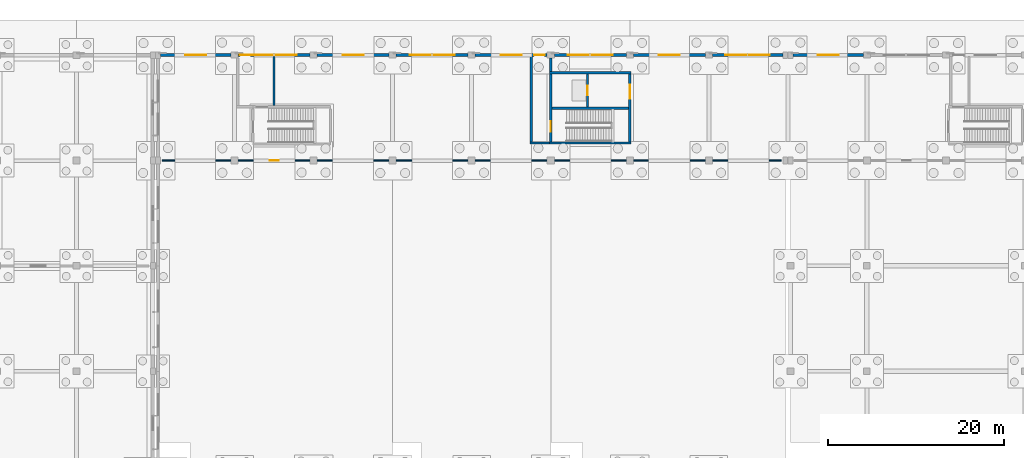
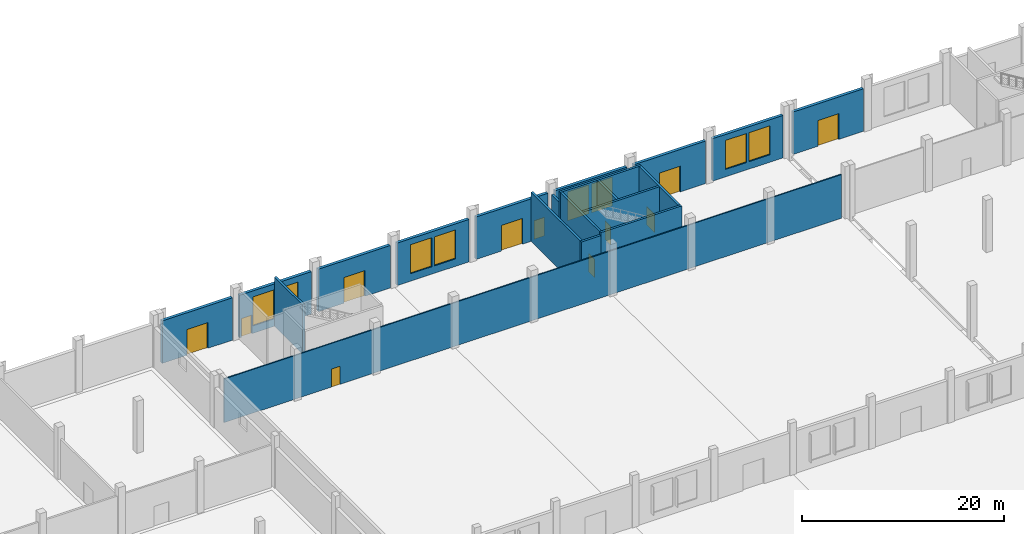
# One storey, part 73 of 99: 20 walls, 11 doors, 8 windows, 19 openings.
"""IFC4 building model written with IfcOpenShell, lengths in metres."""

from ifc_helpers import new_model, si_unit, direction, frame, frame_2d, origin, place, context, subcontext, project, spatial, rectangle, extrude, material, layer, layer_set, type_object, element, fill, save


model = new_model("IFC4")

# Units and contexts
model_context = context("Model", 3, precision=1e-05, world=origin(), true_north=direction((0.0, 1.0)))
body_context = subcontext(model_context, "Body", "Model", "MODEL_VIEW")
ifc_project = project(units=[si_unit("LENGTHUNIT", "METRE"), si_unit("AREAUNIT", "SQUARE_METRE"), si_unit("VOLUMEUNIT", "CUBIC_METRE"), si_unit("PLANEANGLEUNIT", "RADIAN"), si_unit("MASSUNIT", "GRAM", prefix="KILO")], contexts=[model_context])

# Site, building, storey
site_placement = place(None, origin())
site = spatial("IfcSite", under=ifc_project, at=site_placement, CompositionType="ELEMENT")
building_placement = place(site_placement, origin())
building = spatial("IfcBuilding", under=site, at=building_placement, Name="Zacnel Wholesale Market", CompositionType="ELEMENT")
storey_placement = place(building_placement, origin())
storey = spatial("IfcBuildingStorey", under=building, at=storey_placement, Name="L01", CompositionType="ELEMENT", Elevation=0.0)

# Walls
ifc_material_1 = material(Name="Concrete C40/50", Category="concrete")
ifc_layer_1 = layer(ifc_material_1, 0.2548828125)
ifc_layer_set_1 = layer_set([ifc_layer_1], Name="Concrete C40/50")
wall_type_1 = type_object("IfcWallType", Name="WL-COMP-FW250", PredefinedType="STANDARD", material=ifc_layer_set_1)
wall_1_placement = place(storey_placement, frame((85.49755859375, 138.25, 0.0), z_axis=(0.0, 0.0, 1.0), x_axis=(0.0, 1.0, 0.0)))
element("IfcWall", 1, at=wall_1_placement, inside=storey, type_object=wall_type_1, Name="Exit passage ST-20 fire barrier wall 2", PredefinedType="STANDARD", context=body_context, shape_type="SweptSolid", body=[
    extrude(rectangle(XDim=5.580078125, YDim=0.2548828125, at=frame_2d((2.7900390625, 0.0))), origin(), (0.0, 0.0, 1.0), 5.949951171875),
])
wall_2_placement = place(storey_placement, frame((114.7724609375, 134.125, 0.0), z_axis=(0.0, 0.0, 1.0), x_axis=(0.0, 1.0, 0.0)))
element("IfcWall", 2, at=wall_2_placement, inside=storey, type_object=wall_type_1, Name="Exit passage C6 fire barrier wall 1", PredefinedType="STANDARD", context=body_context, shape_type="SweptSolid", body=[
    extrude(rectangle(XDim=9.705078125, YDim=0.2548828125, at=frame_2d((4.8525390625, 0.0))), origin(), (0.0, 0.0, 1.0), 5.949951171875),
])
wall_3_placement = place(storey_placement, frame((117.00244140625, 142.125, 0.0), z_axis=(0.0, 0.0, 1.0), x_axis=(0.0, 1.0, 0.0)))
element("IfcWall", 3, at=wall_3_placement, inside=storey, type_object=wall_type_1, Name="Exit passage C6 fire barrier wall 2", PredefinedType="STANDARD", context=body_context, shape_type="SweptSolid", body=[
    extrude(rectangle(XDim=1.52490234375, YDim=0.2548828125, at=frame_2d((0.762451171875, 0.0))), origin(), (0.0, 0.0, 1.0), 4.969970703125),
])
wall_4_placement = place(storey_placement, frame((114.64501953125, 133.99755859375, 0.0), z_axis=(0.0, 0.0, 1.0), x_axis=(1.0, 0.0, 0.0)))
element("IfcWall", 4, at=wall_4_placement, inside=storey, type_object=wall_type_1, Name="Exit passage C6 fire barrier wall 3", PredefinedType="STANDARD", context=body_context, shape_type="SweptSolid", body=[
    extrude(rectangle(XDim=2.22998046875, YDim=0.2548828125, at=frame_2d((1.114990234375, 0.0))), origin(), (0.0, 0.0, 1.0), 5.949951171875),
])
ifc_material_2 = material(Name="Concrete C40/50", Category="concrete")
ifc_layer_2 = layer(ifc_material_2, 0.25)
ifc_layer_set_2 = layer_set([ifc_layer_2], Name="Concrete C40/50")
wall_type_2 = type_object("IfcWallType", Name="WL-CORE-SW250", PredefinedType="SOLIDWALL", material=ifc_layer_set_2)
for number, where, z_axis, x_axis, name in (
    (5, (116.875, 134.0, -0.5), (0.0, 0.0, 1.0), (1.0, 0.0, 0.0), "Core C6 south shear wall L01"),
    (6, (116.875, 142.0, -0.5), (0.0, 0.0, 1.0), (1.0, 0.0, 0.0), "Core C6 north shear wall L01"),
):
    element("IfcWall", number, at=place(storey_placement, frame(where, z_axis=z_axis, x_axis=x_axis)), inside=storey, type_object=wall_type_2, Name=name, PredefinedType="SOLIDWALL", context=body_context, shape_type="SweptSolid", body=[
        extrude(rectangle(XDim=9.25, YDim=0.25, at=frame_2d((4.625, 0.0))), origin(), (0.0, 0.0, 1.0), 6.800048828125),
    ])

# Wall, opening, door
wall_5_placement = place(storey_placement, frame((117.0, 134.125, -0.5), z_axis=(0.0, 0.0, 1.0), x_axis=(0.0, 1.0, 0.0)))
wall_5 = element("IfcWall", 7, at=wall_5_placement, inside=storey, type_object=wall_type_2, Name="Core C6 west shear wall L01", PredefinedType="SOLIDWALL", context=body_context, shape_type="SweptSolid", body=[
    extrude(rectangle(XDim=7.75, YDim=0.25, at=frame_2d((3.875, 0.0))), origin(), (0.0, 0.0, 1.0), 6.800048828125),
])
opening_1_placement = place(wall_5_placement, frame((1.14990234375, 0.0, 0.5)))
opening_1 = element("IfcOpeningElement", 8, at=opening_1_placement, cuts=wall_5, Name="Opening FD-01", PredefinedType="OPENING", context=body_context, shape_type="SweptSolid", body=[
    extrude(rectangle(XDim=1.199951171875, YDim=2.199951171875, at=frame_2d((0.60009765625, 1.10009765625))), frame((0.0, 0.135009765625, 0.0), z_axis=(0.0, -1.0, 0.0), x_axis=(1.0, 0.0, 0.0)), (0.0, 0.0, 1.0), 0.27001953125),
])
ifc_material_3 = material(Name="Galvanized steel", Category="steel")
door_type_1 = type_object("IfcDoorType", Name="DR-FIRE-STAIR-1200", OperationType="NOTDEFINED", PredefinedType="DOOR", material=ifc_material_3)
door_1_placement = place(opening_1_placement, origin())
door_1 = element("IfcDoor", 9, at=door_1_placement, inside=storey, type_object=door_type_1, Name="Protected stair fire door C6 L01", OperationType="SINGLE_SWING_LEFT", OverallHeight=2.199951171875, OverallWidth=1.199951171875, PredefinedType="DOOR", context=body_context, shape_type="SweptSolid", body=[
    extrude(rectangle(XDim=1.199951171875, YDim=2.199951171875, at=frame_2d((0.60009765625, 1.10009765625))), frame((0.0, 0.02490234375, 0.0), z_axis=(0.0, -1.0, 0.0), x_axis=(1.0, 0.0, 0.0)), (0.0, 0.0, 1.0), 0.050048828125),
])
fill(opening_1, door_1)

wall_6_placement = place(storey_placement, frame((126.0, 134.125, -0.5), z_axis=(0.0, 0.0, 1.0), x_axis=(0.0, 1.0, 0.0)))
wall_6 = element("IfcWall", 10, at=wall_6_placement, inside=storey, type_object=wall_type_2, Name="Core C6 east shear wall L01", PredefinedType="SOLIDWALL", context=body_context, shape_type="SweptSolid", body=[
    extrude(rectangle(XDim=7.75, YDim=0.25, at=frame_2d((3.875, 0.0))), origin(), (0.0, 0.0, 1.0), 6.800048828125),
])
opening_2_placement = place(wall_6_placement, frame((4.89990234375, 0.0, 0.5)))
opening_2 = element("IfcOpeningElement", 11, at=opening_2_placement, cuts=wall_6, Name="Opening FD-02", PredefinedType="OPENING", context=body_context, shape_type="SweptSolid", body=[
    extrude(rectangle(XDim=1.60009765625, YDim=2.199951171875, at=frame_2d((0.800048828125, 1.10009765625))), frame((0.0, 0.135009765625, 0.0), z_axis=(0.0, -1.0, 0.0), x_axis=(1.0, 0.0, 0.0)), (0.0, 0.0, 1.0), 0.27001953125),
])
ifc_material_4 = material(Name="Galvanized steel", Category="steel")
door_type_2 = type_object("IfcDoorType", Name="DR-FIRE-LOBBY-1600", OperationType="NOTDEFINED", PredefinedType="DOOR", material=ifc_material_4)
door_2_placement = place(opening_2_placement, origin())
door_2 = element("IfcDoor", 12, at=door_2_placement, inside=storey, type_object=door_type_2, Name="Core lift lobby fire door C6 L01", OperationType="SINGLE_SWING_RIGHT", OverallHeight=2.199951171875, OverallWidth=1.60009765625, PredefinedType="DOOR", context=body_context, shape_type="SweptSolid", body=[
    extrude(rectangle(XDim=1.60009765625, YDim=2.199951171875, at=frame_2d((0.800048828125, 1.10009765625))), frame((0.0, 0.02490234375, 0.0), z_axis=(0.0, -1.0, 0.0), x_axis=(1.0, 0.0, 0.0)), (0.0, 0.0, 1.0), 0.050048828125),
])
fill(opening_2, door_2)

# Wall
wall_7_placement = place(storey_placement, frame((117.125, 137.949951171875, -0.5), z_axis=(0.0, 0.0, 1.0), x_axis=(1.0, 0.0, 0.0)))
element("IfcWall", 13, at=wall_7_placement, inside=storey, type_object=wall_type_2, Name="Core C6 stair-shaft shear wall L01", PredefinedType="SOLIDWALL", context=body_context, shape_type="SweptSolid", body=[
    extrude(rectangle(XDim=8.75, YDim=0.25, at=frame_2d((4.375, 0.0))), origin(), (0.0, 0.0, 1.0), 6.800048828125),
])

# Wall, opening, door
wall_8_placement = place(storey_placement, frame((121.199951171875, 138.074951171875, -0.5), z_axis=(0.0, 0.0, 1.0), x_axis=(0.0, 1.0, 0.0)))
wall_8 = element("IfcWall", 14, at=wall_8_placement, inside=storey, type_object=wall_type_2, Name="Core C6 lift shaft front wall L01", PredefinedType="SOLIDWALL", context=body_context, shape_type="SweptSolid", body=[
    extrude(rectangle(XDim=3.800048828125, YDim=0.25, at=frame_2d((1.89990234375, 0.0))), origin(), (0.0, 0.0, 1.0), 6.800048828125),
])
opening_3_placement = place(wall_8_placement, frame((1.35009765625, 0.0, 0.5)))
opening_3 = element("IfcOpeningElement", 15, at=opening_3_placement, cuts=wall_8, Name="Opening LD-01", PredefinedType="OPENING", context=body_context, shape_type="SweptSolid", body=[
    extrude(rectangle(XDim=1.10009765625, YDim=2.199951171875, at=frame_2d((0.550048828125, 1.10009765625))), frame((0.0, 0.135009765625, 0.0), z_axis=(0.0, -1.0, 0.0), x_axis=(1.0, 0.0, 0.0)), (0.0, 0.0, 1.0), 0.27001953125),
])
ifc_material_5 = material(Name="Galvanized steel", Category="steel")
door_type_3 = type_object("IfcDoorType", Name="DR-LIFT-PASS-1100", OperationType="NOTDEFINED", PredefinedType="DOOR", material=ifc_material_5)
door_3_placement = place(opening_3_placement, origin())
door_3 = element("IfcDoor", 16, at=door_3_placement, inside=storey, type_object=door_type_3, Name="Lift landing door LP-03 L01", OperationType="SLIDING_TO_LEFT", OverallHeight=2.199951171875, OverallWidth=1.10009765625, PredefinedType="DOOR", context=body_context, shape_type="SweptSolid", body=[
    extrude(rectangle(XDim=1.10009765625, YDim=2.199951171875, at=frame_2d((0.550048828125, 1.10009765625))), frame((0.0, 0.02490234375, 0.0), z_axis=(0.0, -1.0, 0.0), x_axis=(1.0, 0.0, 0.0)), (0.0, 0.0, 1.0), 0.050048828125),
])
fill(opening_3, door_3)

ifc_material_6 = material(Name="Precast concrete C40/50 (Cancun limestone aggregate)", Category="masonry")
ifc_layer_3 = layer(ifc_material_6, 0.340087890625)
ifc_layer_set_3 = layer_set([ifc_layer_3], Name="Precast concrete C40/50 (Cancun limestone aggregate)")
wall_type_3 = type_object("IfcWallType", Name="WL-EXT-LIME-340", PredefinedType="SOLIDWALL", material=ifc_layer_set_3)
wall_9_placement = place(storey_placement, frame((72.574951171875, 144.0, 0.0), z_axis=(0.0, 0.0, 1.0), x_axis=(1.0, 0.0, 0.0)))
wall_9 = element("IfcWall", 17, at=wall_9_placement, inside=storey, type_object=wall_type_3, Name="Exterior wall L01-0133", PredefinedType="SOLIDWALL", context=body_context, shape_type="SweptSolid", body=[
    extrude(rectangle(XDim=8.025146484375, YDim=0.340087890625, at=frame_2d((4.0126953125, 0.0))), origin(), (0.0, 0.0, 1.0), 5.1201171875),
])
opening_4_placement = place(wall_9_placement, frame((2.81201171875, 0.0, 0.0)))
opening_4 = element("IfcOpeningElement", 18, at=opening_4_placement, cuts=wall_9, Name="Opening ED-01", PredefinedType="OPENING", context=body_context, shape_type="SweptSolid", body=[
    extrude(rectangle(XDim=2.39990234375, YDim=3.10009765625, at=frame_2d((1.199951171875, 1.550048828125))), frame((0.0, 0.179931640625, 0.0), z_axis=(0.0, -1.0, 0.0), x_axis=(1.0, 0.0, 0.0)), (0.0, 0.0, 1.0), 0.360107421875),
])
ifc_material_7 = material(Name="Anodised aluminium", Category="aluminium")
door_type_4 = type_object("IfcDoorType", Name="DR-EXT-PORTAL-2400", OperationType="NOTDEFINED", PredefinedType="DOOR", material=ifc_material_7)
door_4_placement = place(opening_4_placement, origin())
door_4 = element("IfcDoor", 19, at=door_4_placement, inside=storey, type_object=door_type_4, Name="Market hall civic portal 038", OperationType="DOUBLE_DOOR_SINGLE_SWING", OverallHeight=3.10009765625, OverallWidth=2.39990234375, PredefinedType="DOOR", context=body_context, shape_type="SweptSolid", body=[
    extrude(rectangle(XDim=2.39990234375, YDim=3.10009765625, at=frame_2d((1.199951171875, 1.550048828125))), frame((0.0, 0.02490234375, 0.0), z_axis=(0.0, -1.0, 0.0), x_axis=(1.0, 0.0, 0.0)), (0.0, 0.0, 1.0), 0.050048828125),
])
fill(opening_4, door_4)

# Wall, openings, door, windows
wall_10_placement = place(storey_placement, frame((81.39990234375, 144.0, 0.0), z_axis=(0.0, 0.0, 1.0), x_axis=(1.0, 0.0, 0.0)))
wall_10 = element("IfcWall", 20, at=wall_10_placement, inside=storey, type_object=wall_type_3, Name="Exterior wall L01-0134", PredefinedType="SOLIDWALL", context=body_context, shape_type="SweptSolid", body=[
    extrude(rectangle(XDim=8.2001953125, YDim=0.340087890625, at=frame_2d((4.10009765625, 0.0))), origin(), (0.0, 0.0, 1.0), 5.1201171875),
])
opening_5_placement = place(wall_10_placement, frame((1.532958984375, 0.0, 0.89990234375)))
opening_5 = element("IfcOpeningElement", 21, at=opening_5_placement, cuts=wall_10, Name="Opening W-01", PredefinedType="OPENING", context=body_context, shape_type="SweptSolid", body=[
    extrude(rectangle(XDim=2.39990234375, YDim=3.5, at=frame_2d((1.199951171875, 1.75))), frame((0.0, 0.179931640625, 0.0), z_axis=(0.0, -1.0, 0.0), x_axis=(1.0, 0.0, 0.0)), (0.0, 0.0, 1.0), 0.360107421875),
])
opening_6_placement = place(wall_10_placement, frame((4.26708984375, 0.0, 0.89990234375)))
opening_6 = element("IfcOpeningElement", 22, at=opening_6_placement, cuts=wall_10, Name="Opening W-01", PredefinedType="OPENING", context=body_context, shape_type="SweptSolid", body=[
    extrude(rectangle(XDim=2.39990234375, YDim=3.5, at=frame_2d((1.199951171875, 1.75))), frame((0.0, 0.179931640625, 0.0), z_axis=(0.0, -1.0, 0.0), x_axis=(1.0, 0.0, 0.0)), (0.0, 0.0, 1.0), 0.360107421875),
])
opening_7_placement = place(wall_10_placement, frame((0.199951171875, 0.0, 0.0)))
opening_7 = element("IfcOpeningElement", 23, at=opening_7_placement, cuts=wall_10, Name="Opening ED-04", PredefinedType="OPENING", context=body_context, shape_type="SweptSolid", body=[
    extrude(rectangle(XDim=1.199951171875, YDim=2.25, at=frame_2d((0.60009765625, 1.125))), frame((0.0, 0.179931640625, 0.0), z_axis=(0.0, -1.0, 0.0), x_axis=(1.0, 0.0, 0.0)), (0.0, 0.0, 1.0), 0.360107421875),
])
ifc_material_8 = material(Name="Galvanized steel S355", Category="steel")
door_type_5 = type_object("IfcDoorType", Name="DR-EXT-EXIT-1200", OperationType="NOTDEFINED", PredefinedType="DOOR", material=ifc_material_8)
door_5_placement = place(opening_7_placement, origin())
door_5 = element("IfcDoor", 24, at=door_5_placement, inside=storey, type_object=door_type_5, Name="Final exit door ST-20 to the north", OperationType="SINGLE_SWING_LEFT", OverallHeight=2.25, OverallWidth=1.199951171875, PredefinedType="DOOR", context=body_context, shape_type="SweptSolid", body=[
    extrude(rectangle(XDim=1.199951171875, YDim=2.25, at=frame_2d((0.60009765625, 1.125))), frame((0.0, 0.02490234375, 0.0), z_axis=(0.0, -1.0, 0.0), x_axis=(1.0, 0.0, 0.0)), (0.0, 0.0, 1.0), 0.050048828125),
])
fill(opening_7, door_5)
ifc_material_9 = material(Name="Laminated hurricane-impact low-E insulated glass", Category="glass")
window_type = type_object("IfcWindowType", Name="WIN-DEC-2400X3500", PartitioningType="TRIPLE_PANEL_VERTICAL", PredefinedType="WINDOW", material=ifc_material_9)
window_1_placement = place(opening_5_placement, origin())
window_1 = element("IfcWindow", 25, at=window_1_placement, inside=storey, type_object=window_type, Name="Window L01-0132", OverallHeight=3.5, OverallWidth=2.39990234375, PartitioningType="TRIPLE_PANEL_VERTICAL", PredefinedType="WINDOW", context=body_context, shape_type="SweptSolid", body=[
    extrude(rectangle(XDim=2.39990234375, YDim=3.5, at=frame_2d((1.199951171875, 1.75))), frame((0.0, 0.030029296875, 0.0), z_axis=(0.0, -1.0, 0.0), x_axis=(1.0, 0.0, 0.0)), (0.0, 0.0, 1.0), 0.06005859375),
])
fill(opening_5, window_1)
window_2_placement = place(opening_6_placement, origin())
window_2 = element("IfcWindow", 26, at=window_2_placement, inside=storey, type_object=window_type, Name="Window L01-0133", OverallHeight=3.5, OverallWidth=2.39990234375, PartitioningType="TRIPLE_PANEL_VERTICAL", PredefinedType="WINDOW", context=body_context, shape_type="SweptSolid", body=[
    extrude(rectangle(XDim=2.39990234375, YDim=3.5, at=frame_2d((1.199951171875, 1.75))), frame((0.0, 0.030029296875, 0.0), z_axis=(0.0, -1.0, 0.0), x_axis=(1.0, 0.0, 0.0)), (0.0, 0.0, 1.0), 0.06005859375),
])
fill(opening_6, window_2)

# Wall, opening, door
wall_11_placement = place(storey_placement, frame((90.39990234375, 144.0, 0.0), z_axis=(0.0, 0.0, 1.0), x_axis=(1.0, 0.0, 0.0)))
wall_11 = element("IfcWall", 27, at=wall_11_placement, inside=storey, type_object=wall_type_3, Name="Exterior wall L01-0135", PredefinedType="SOLIDWALL", context=body_context, shape_type="SweptSolid", body=[
    extrude(rectangle(XDim=8.2001953125, YDim=0.340087890625, at=frame_2d((4.10009765625, 0.0))), origin(), (0.0, 0.0, 1.0), 5.1201171875),
])
opening_8_placement = place(wall_11_placement, frame((2.89990234375, 0.0, 0.0)))
opening_8 = element("IfcOpeningElement", 28, at=opening_8_placement, cuts=wall_11, Name="Opening ED-01", PredefinedType="OPENING", context=body_context, shape_type="SweptSolid", body=[
    extrude(rectangle(XDim=2.39990234375, YDim=3.10009765625, at=frame_2d((1.199951171875, 1.550048828125))), frame((0.0, 0.179931640625, 0.0), z_axis=(0.0, -1.0, 0.0), x_axis=(1.0, 0.0, 0.0)), (0.0, 0.0, 1.0), 0.360107421875),
])
door_6_placement = place(opening_8_placement, origin())
door_6 = element("IfcDoor", 29, at=door_6_placement, inside=storey, type_object=door_type_4, Name="Market hall civic portal 039", OperationType="DOUBLE_DOOR_SINGLE_SWING", OverallHeight=3.10009765625, OverallWidth=2.39990234375, PredefinedType="DOOR", context=body_context, shape_type="SweptSolid", body=[
    extrude(rectangle(XDim=2.39990234375, YDim=3.10009765625, at=frame_2d((1.199951171875, 1.550048828125))), frame((0.0, 0.02490234375, 0.0), z_axis=(0.0, -1.0, 0.0), x_axis=(1.0, 0.0, 0.0)), (0.0, 0.0, 1.0), 0.050048828125),
])
fill(opening_8, door_6)

# Wall, openings, windows
wall_12_placement = place(storey_placement, frame((99.39990234375, 144.0, 0.0), z_axis=(0.0, 0.0, 1.0), x_axis=(1.0, 0.0, 0.0)))
wall_12 = element("IfcWall", 30, at=wall_12_placement, inside=storey, type_object=wall_type_3, Name="Exterior wall L01-0136", PredefinedType="SOLIDWALL", context=body_context, shape_type="SweptSolid", body=[
    extrude(rectangle(XDim=8.2001953125, YDim=0.340087890625, at=frame_2d((4.10009765625, 0.0))), origin(), (0.0, 0.0, 1.0), 5.1201171875),
])
opening_9_placement = place(wall_12_placement, frame((1.532958984375, 0.0, 0.89990234375)))
opening_9 = element("IfcOpeningElement", 31, at=opening_9_placement, cuts=wall_12, Name="Opening W-01", PredefinedType="OPENING", context=body_context, shape_type="SweptSolid", body=[
    extrude(rectangle(XDim=2.39990234375, YDim=3.5, at=frame_2d((1.199951171875, 1.75))), frame((0.0, 0.179931640625, 0.0), z_axis=(0.0, -1.0, 0.0), x_axis=(1.0, 0.0, 0.0)), (0.0, 0.0, 1.0), 0.360107421875),
])
opening_10_placement = place(wall_12_placement, frame((4.26708984375, 0.0, 0.89990234375)))
opening_10 = element("IfcOpeningElement", 32, at=opening_10_placement, cuts=wall_12, Name="Opening W-01", PredefinedType="OPENING", context=body_context, shape_type="SweptSolid", body=[
    extrude(rectangle(XDim=2.39990234375, YDim=3.5, at=frame_2d((1.199951171875, 1.75))), frame((0.0, 0.179931640625, 0.0), z_axis=(0.0, -1.0, 0.0), x_axis=(1.0, 0.0, 0.0)), (0.0, 0.0, 1.0), 0.360107421875),
])
window_3_placement = place(opening_9_placement, origin())
window_3 = element("IfcWindow", 33, at=window_3_placement, inside=storey, type_object=window_type, Name="Window L01-0134", OverallHeight=3.5, OverallWidth=2.39990234375, PartitioningType="TRIPLE_PANEL_VERTICAL", PredefinedType="WINDOW", context=body_context, shape_type="SweptSolid", body=[
    extrude(rectangle(XDim=2.39990234375, YDim=3.5, at=frame_2d((1.199951171875, 1.75))), frame((0.0, 0.030029296875, 0.0), z_axis=(0.0, -1.0, 0.0), x_axis=(1.0, 0.0, 0.0)), (0.0, 0.0, 1.0), 0.06005859375),
])
fill(opening_9, window_3)
window_4_placement = place(opening_10_placement, origin())
window_4 = element("IfcWindow", 34, at=window_4_placement, inside=storey, type_object=window_type, Name="Window L01-0135", OverallHeight=3.5, OverallWidth=2.39990234375, PartitioningType="TRIPLE_PANEL_VERTICAL", PredefinedType="WINDOW", context=body_context, shape_type="SweptSolid", body=[
    extrude(rectangle(XDim=2.39990234375, YDim=3.5, at=frame_2d((1.199951171875, 1.75))), frame((0.0, 0.030029296875, 0.0), z_axis=(0.0, -1.0, 0.0), x_axis=(1.0, 0.0, 0.0)), (0.0, 0.0, 1.0), 0.06005859375),
])
fill(opening_10, window_4)

# Wall, openings, doors
wall_13_placement = place(storey_placement, frame((108.39990234375, 144.0, 0.0), z_axis=(0.0, 0.0, 1.0), x_axis=(1.0, 0.0, 0.0)))
wall_13 = element("IfcWall", 35, at=wall_13_placement, inside=storey, type_object=wall_type_3, Name="Exterior wall L01-0137", PredefinedType="SOLIDWALL", context=body_context, shape_type="SweptSolid", body=[
    extrude(rectangle(XDim=8.2001953125, YDim=0.340087890625, at=frame_2d((4.10009765625, 0.0))), origin(), (0.0, 0.0, 1.0), 5.1201171875),
])
opening_11_placement = place(wall_13_placement, frame((2.89990234375, 0.0, 0.0)))
opening_11 = element("IfcOpeningElement", 36, at=opening_11_placement, cuts=wall_13, Name="Opening ED-01", PredefinedType="OPENING", context=body_context, shape_type="SweptSolid", body=[
    extrude(rectangle(XDim=2.39990234375, YDim=3.10009765625, at=frame_2d((1.199951171875, 1.550048828125))), frame((0.0, 0.179931640625, 0.0), z_axis=(0.0, -1.0, 0.0), x_axis=(1.0, 0.0, 0.0)), (0.0, 0.0, 1.0), 0.360107421875),
])
opening_12_placement = place(wall_13_placement, frame((6.699951171875, 0.0, 0.0)))
opening_12 = element("IfcOpeningElement", 37, at=opening_12_placement, cuts=wall_13, Name="Opening ED-04", PredefinedType="OPENING", context=body_context, shape_type="SweptSolid", body=[
    extrude(rectangle(XDim=1.199951171875, YDim=2.25, at=frame_2d((0.60009765625, 1.125))), frame((0.0, 0.179931640625, 0.0), z_axis=(0.0, -1.0, 0.0), x_axis=(1.0, 0.0, 0.0)), (0.0, 0.0, 1.0), 0.360107421875),
])
door_7_placement = place(opening_12_placement, origin())
door_7 = element("IfcDoor", 38, at=door_7_placement, inside=storey, type_object=door_type_5, Name="Final exit door C6 to the north", OperationType="SINGLE_SWING_LEFT", OverallHeight=2.25, OverallWidth=1.199951171875, PredefinedType="DOOR", context=body_context, shape_type="SweptSolid", body=[
    extrude(rectangle(XDim=1.199951171875, YDim=2.25, at=frame_2d((0.60009765625, 1.125))), frame((0.0, 0.02490234375, 0.0), z_axis=(0.0, -1.0, 0.0), x_axis=(1.0, 0.0, 0.0)), (0.0, 0.0, 1.0), 0.050048828125),
])
fill(opening_12, door_7)
door_8_placement = place(opening_11_placement, origin())
door_8 = element("IfcDoor", 39, at=door_8_placement, inside=storey, type_object=door_type_4, Name="Market hall civic portal 040", OperationType="DOUBLE_DOOR_SINGLE_SWING", OverallHeight=3.10009765625, OverallWidth=2.39990234375, PredefinedType="DOOR", context=body_context, shape_type="SweptSolid", body=[
    extrude(rectangle(XDim=2.39990234375, YDim=3.10009765625, at=frame_2d((1.199951171875, 1.550048828125))), frame((0.0, 0.02490234375, 0.0), z_axis=(0.0, -1.0, 0.0), x_axis=(1.0, 0.0, 0.0)), (0.0, 0.0, 1.0), 0.050048828125),
])
fill(opening_11, door_8)

# Wall, openings, windows
wall_14_placement = place(storey_placement, frame((117.39990234375, 144.0, 0.0), z_axis=(0.0, 0.0, 1.0), x_axis=(1.0, 0.0, 0.0)))
wall_14 = element("IfcWall", 40, at=wall_14_placement, inside=storey, type_object=wall_type_3, Name="Exterior wall L01-0138", PredefinedType="SOLIDWALL", context=body_context, shape_type="SweptSolid", body=[
    extrude(rectangle(XDim=8.2001953125, YDim=0.340087890625, at=frame_2d((4.10009765625, 0.0))), origin(), (0.0, 0.0, 1.0), 5.1201171875),
])
opening_13_placement = place(wall_14_placement, frame((1.532958984375, 0.0, 0.89990234375)))
opening_13 = element("IfcOpeningElement", 41, at=opening_13_placement, cuts=wall_14, Name="Opening W-01", PredefinedType="OPENING", context=body_context, shape_type="SweptSolid", body=[
    extrude(rectangle(XDim=2.39990234375, YDim=3.5, at=frame_2d((1.199951171875, 1.75))), frame((0.0, 0.179931640625, 0.0), z_axis=(0.0, -1.0, 0.0), x_axis=(1.0, 0.0, 0.0)), (0.0, 0.0, 1.0), 0.360107421875),
])
opening_14_placement = place(wall_14_placement, frame((4.26708984375, 0.0, 0.89990234375)))
opening_14 = element("IfcOpeningElement", 42, at=opening_14_placement, cuts=wall_14, Name="Opening W-01", PredefinedType="OPENING", context=body_context, shape_type="SweptSolid", body=[
    extrude(rectangle(XDim=2.39990234375, YDim=3.5, at=frame_2d((1.199951171875, 1.75))), frame((0.0, 0.179931640625, 0.0), z_axis=(0.0, -1.0, 0.0), x_axis=(1.0, 0.0, 0.0)), (0.0, 0.0, 1.0), 0.360107421875),
])
window_5_placement = place(opening_13_placement, origin())
window_5 = element("IfcWindow", 43, at=window_5_placement, inside=storey, type_object=window_type, Name="Window L01-0136", OverallHeight=3.5, OverallWidth=2.39990234375, PartitioningType="TRIPLE_PANEL_VERTICAL", PredefinedType="WINDOW", context=body_context, shape_type="SweptSolid", body=[
    extrude(rectangle(XDim=2.39990234375, YDim=3.5, at=frame_2d((1.199951171875, 1.75))), frame((0.0, 0.030029296875, 0.0), z_axis=(0.0, -1.0, 0.0), x_axis=(1.0, 0.0, 0.0)), (0.0, 0.0, 1.0), 0.06005859375),
])
fill(opening_13, window_5)
window_6_placement = place(opening_14_placement, origin())
window_6 = element("IfcWindow", 44, at=window_6_placement, inside=storey, type_object=window_type, Name="Window L01-0137", OverallHeight=3.5, OverallWidth=2.39990234375, PartitioningType="TRIPLE_PANEL_VERTICAL", PredefinedType="WINDOW", context=body_context, shape_type="SweptSolid", body=[
    extrude(rectangle(XDim=2.39990234375, YDim=3.5, at=frame_2d((1.199951171875, 1.75))), frame((0.0, 0.030029296875, 0.0), z_axis=(0.0, -1.0, 0.0), x_axis=(1.0, 0.0, 0.0)), (0.0, 0.0, 1.0), 0.06005859375),
])
fill(opening_14, window_6)

# Wall, opening, door
wall_15_placement = place(storey_placement, frame((126.39990234375, 144.0, 0.0), z_axis=(0.0, 0.0, 1.0), x_axis=(1.0, 0.0, 0.0)))
wall_15 = element("IfcWall", 45, at=wall_15_placement, inside=storey, type_object=wall_type_3, Name="Exterior wall L01-0139", PredefinedType="SOLIDWALL", context=body_context, shape_type="SweptSolid", body=[
    extrude(rectangle(XDim=8.2001953125, YDim=0.340087890625, at=frame_2d((4.10009765625, 0.0))), origin(), (0.0, 0.0, 1.0), 5.1201171875),
])
opening_15_placement = place(wall_15_placement, frame((2.89990234375, 0.0, 0.0)))
opening_15 = element("IfcOpeningElement", 46, at=opening_15_placement, cuts=wall_15, Name="Opening ED-01", PredefinedType="OPENING", context=body_context, shape_type="SweptSolid", body=[
    extrude(rectangle(XDim=2.39990234375, YDim=3.10009765625, at=frame_2d((1.199951171875, 1.550048828125))), frame((0.0, 0.179931640625, 0.0), z_axis=(0.0, -1.0, 0.0), x_axis=(1.0, 0.0, 0.0)), (0.0, 0.0, 1.0), 0.360107421875),
])
door_9_placement = place(opening_15_placement, origin())
door_9 = element("IfcDoor", 47, at=door_9_placement, inside=storey, type_object=door_type_4, Name="Market hall civic portal 041", OperationType="DOUBLE_DOOR_SINGLE_SWING", OverallHeight=3.10009765625, OverallWidth=2.39990234375, PredefinedType="DOOR", context=body_context, shape_type="SweptSolid", body=[
    extrude(rectangle(XDim=2.39990234375, YDim=3.10009765625, at=frame_2d((1.199951171875, 1.550048828125))), frame((0.0, 0.02490234375, 0.0), z_axis=(0.0, -1.0, 0.0), x_axis=(1.0, 0.0, 0.0)), (0.0, 0.0, 1.0), 0.050048828125),
])
fill(opening_15, door_9)

# Wall, openings, windows
wall_16_placement = place(storey_placement, frame((135.39990234375, 144.0, 0.0), z_axis=(0.0, 0.0, 1.0), x_axis=(1.0, 0.0, 0.0)))
wall_16 = element("IfcWall", 48, at=wall_16_placement, inside=storey, type_object=wall_type_3, Name="Exterior wall L01-0140", PredefinedType="SOLIDWALL", context=body_context, shape_type="SweptSolid", body=[
    extrude(rectangle(XDim=8.025146484375, YDim=0.340087890625, at=frame_2d((4.0126953125, 0.0))), origin(), (0.0, 0.0, 1.0), 5.1201171875),
])
opening_16_placement = place(wall_16_placement, frame((1.47509765625, 0.0, 0.89990234375)))
opening_16 = element("IfcOpeningElement", 49, at=opening_16_placement, cuts=wall_16, Name="Opening W-01", PredefinedType="OPENING", context=body_context, shape_type="SweptSolid", body=[
    extrude(rectangle(XDim=2.39990234375, YDim=3.5, at=frame_2d((1.199951171875, 1.75))), frame((0.0, 0.179931640625, 0.0), z_axis=(0.0, -1.0, 0.0), x_axis=(1.0, 0.0, 0.0)), (0.0, 0.0, 1.0), 0.360107421875),
])
opening_17_placement = place(wall_16_placement, frame((4.14990234375, 0.0, 0.89990234375)))
opening_17 = element("IfcOpeningElement", 50, at=opening_17_placement, cuts=wall_16, Name="Opening W-01", PredefinedType="OPENING", context=body_context, shape_type="SweptSolid", body=[
    extrude(rectangle(XDim=2.39990234375, YDim=3.5, at=frame_2d((1.199951171875, 1.75))), frame((0.0, 0.179931640625, 0.0), z_axis=(0.0, -1.0, 0.0), x_axis=(1.0, 0.0, 0.0)), (0.0, 0.0, 1.0), 0.360107421875),
])
window_7_placement = place(opening_16_placement, origin())
window_7 = element("IfcWindow", 51, at=window_7_placement, inside=storey, type_object=window_type, Name="Window L01-0138", OverallHeight=3.5, OverallWidth=2.39990234375, PartitioningType="TRIPLE_PANEL_VERTICAL", PredefinedType="WINDOW", context=body_context, shape_type="SweptSolid", body=[
    extrude(rectangle(XDim=2.39990234375, YDim=3.5, at=frame_2d((1.199951171875, 1.75))), frame((0.0, 0.030029296875, 0.0), z_axis=(0.0, -1.0, 0.0), x_axis=(1.0, 0.0, 0.0)), (0.0, 0.0, 1.0), 0.06005859375),
])
fill(opening_16, window_7)
window_8_placement = place(opening_17_placement, origin())
window_8 = element("IfcWindow", 52, at=window_8_placement, inside=storey, type_object=window_type, Name="Window L01-0139", OverallHeight=3.5, OverallWidth=2.39990234375, PartitioningType="TRIPLE_PANEL_VERTICAL", PredefinedType="WINDOW", context=body_context, shape_type="SweptSolid", body=[
    extrude(rectangle(XDim=2.39990234375, YDim=3.5, at=frame_2d((1.199951171875, 1.75))), frame((0.0, 0.030029296875, 0.0), z_axis=(0.0, -1.0, 0.0), x_axis=(1.0, 0.0, 0.0)), (0.0, 0.0, 1.0), 0.06005859375),
])
fill(opening_17, window_8)

# Wall, opening, door
wall_17_placement = place(storey_placement, frame((144.574951171875, 144.0, 0.0), z_axis=(0.0, 0.0, 1.0), x_axis=(1.0, 0.0, 0.0)))
wall_17 = element("IfcWall", 53, at=wall_17_placement, inside=storey, type_object=wall_type_3, Name="Exterior wall L01-0141", PredefinedType="SOLIDWALL", context=body_context, shape_type="SweptSolid", body=[
    extrude(rectangle(XDim=8.025146484375, YDim=0.340087890625, at=frame_2d((4.0126953125, 0.0))), origin(), (0.0, 0.0, 1.0), 5.1201171875),
])
opening_18_placement = place(wall_17_placement, frame((2.81201171875, 0.0, 0.0)))
opening_18 = element("IfcOpeningElement", 54, at=opening_18_placement, cuts=wall_17, Name="Opening ED-01", PredefinedType="OPENING", context=body_context, shape_type="SweptSolid", body=[
    extrude(rectangle(XDim=2.39990234375, YDim=3.10009765625, at=frame_2d((1.199951171875, 1.550048828125))), frame((0.0, 0.179931640625, 0.0), z_axis=(0.0, -1.0, 0.0), x_axis=(1.0, 0.0, 0.0)), (0.0, 0.0, 1.0), 0.360107421875),
])
door_10_placement = place(opening_18_placement, origin())
door_10 = element("IfcDoor", 55, at=door_10_placement, inside=storey, type_object=door_type_4, Name="Market hall civic portal 042", OperationType="DOUBLE_DOOR_SINGLE_SWING", OverallHeight=3.10009765625, OverallWidth=2.39990234375, PredefinedType="DOOR", context=body_context, shape_type="SweptSolid", body=[
    extrude(rectangle(XDim=2.39990234375, YDim=3.10009765625, at=frame_2d((1.199951171875, 1.550048828125))), frame((0.0, 0.02490234375, 0.0), z_axis=(0.0, -1.0, 0.0), x_axis=(1.0, 0.0, 0.0)), (0.0, 0.0, 1.0), 0.050048828125),
])
fill(opening_18, door_10)

ifc_material_10 = material(Name="Moisture-resistant gypsum board partition")
ifc_layer_4 = layer(ifc_material_10, 0.139892578125)
ifc_layer_set_4 = layer_set([ifc_layer_4], Name="Moisture-resistant gypsum board partition")
wall_type_4 = type_object("IfcWallType", Name="WL-PART-GYP140", PredefinedType="PARTITIONING", material=ifc_layer_set_4)
wall_18_placement = place(storey_placement, frame((72.75, 132.0, 0.0), z_axis=(0.0, 0.0, 1.0), x_axis=(1.0, 0.0, 0.0)))
wall_18 = element("IfcWall", 56, at=wall_18_placement, inside=storey, type_object=wall_type_4, Name="Interior partition L01-0029", PredefinedType="PARTITIONING", context=body_context, shape_type="SweptSolid", body=[
    extrude(rectangle(XDim=70.5, YDim=0.139892578125, at=frame_2d((35.25, 0.0))), origin(), (0.0, 0.0, 1.0), 5.27001953125),
])
opening_19_placement = place(wall_18_placement, frame((12.239990234375, 0.0, 0.0)))
opening_19 = element("IfcOpeningElement", 57, at=opening_19_placement, cuts=wall_18, Name="Opening ID-12", PredefinedType="OPENING", context=body_context, shape_type="SweptSolid", body=[
    extrude(rectangle(XDim=1.02001953125, YDim=2.179931640625, at=frame_2d((0.510009765625, 1.08984375))), frame((0.0, 0.079833984375, 0.0), z_axis=(0.0, -1.0, 0.0), x_axis=(1.0, 0.0, 0.0)), (0.0, 0.0, 1.0), 0.159912109375),
])
ifc_material_11 = material(Name="Solid-core tropical hardwood door", Category="wood")
door_type_6 = type_object("IfcDoorType", Name="DR-OFF-SGL-1020", OperationType="NOTDEFINED", PredefinedType="DOOR", material=ifc_material_11)
door_11_placement = place(opening_19_placement, origin())
door_11 = element("IfcDoor", 58, at=door_11_placement, inside=storey, type_object=door_type_6, Name="Interior door L01-0025", OperationType="SINGLE_SWING_RIGHT", OverallHeight=2.179931640625, OverallWidth=1.02001953125, PredefinedType="DOOR", context=body_context, shape_type="SweptSolid", body=[
    extrude(rectangle(XDim=1.02001953125, YDim=2.179931640625, at=frame_2d((0.510009765625, 1.08984375))), frame((0.0, 0.02490234375, 0.0), z_axis=(0.0, -1.0, 0.0), x_axis=(1.0, 0.0, 0.0)), (0.0, 0.0, 1.0), 0.050048828125),
])
fill(opening_19, door_11)

save(model, "model.ifc")
